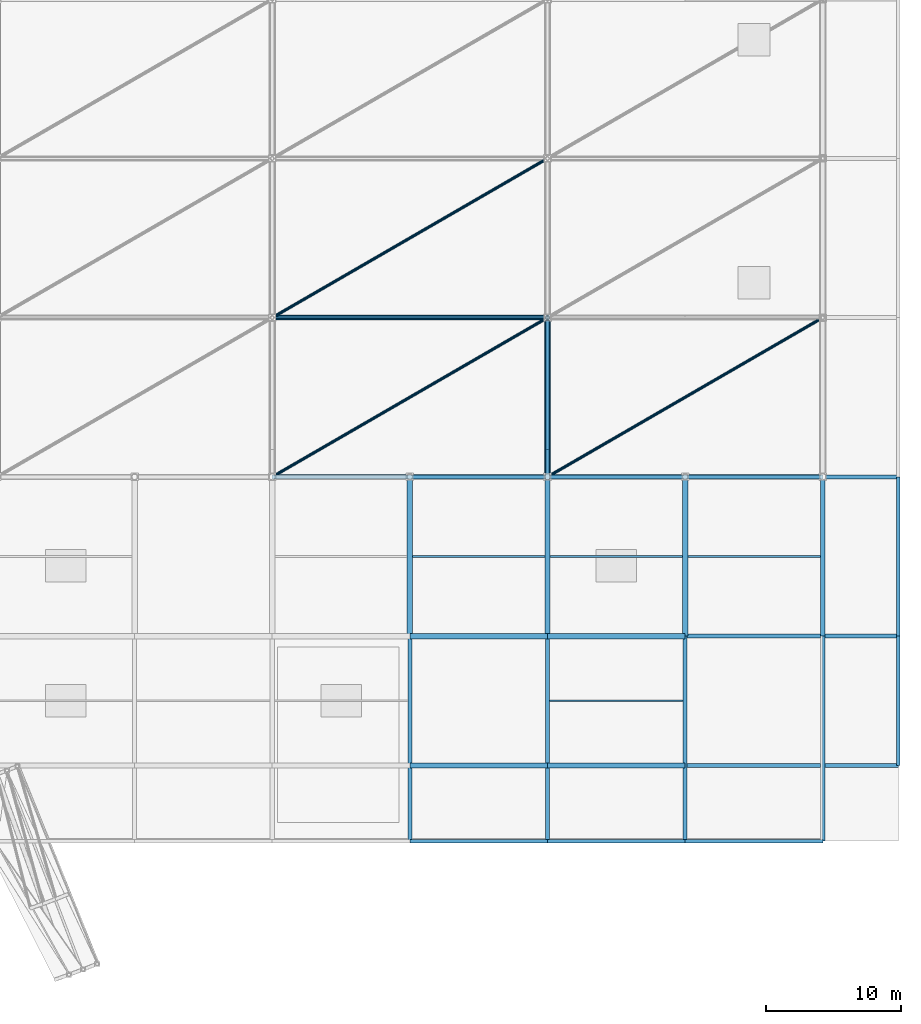
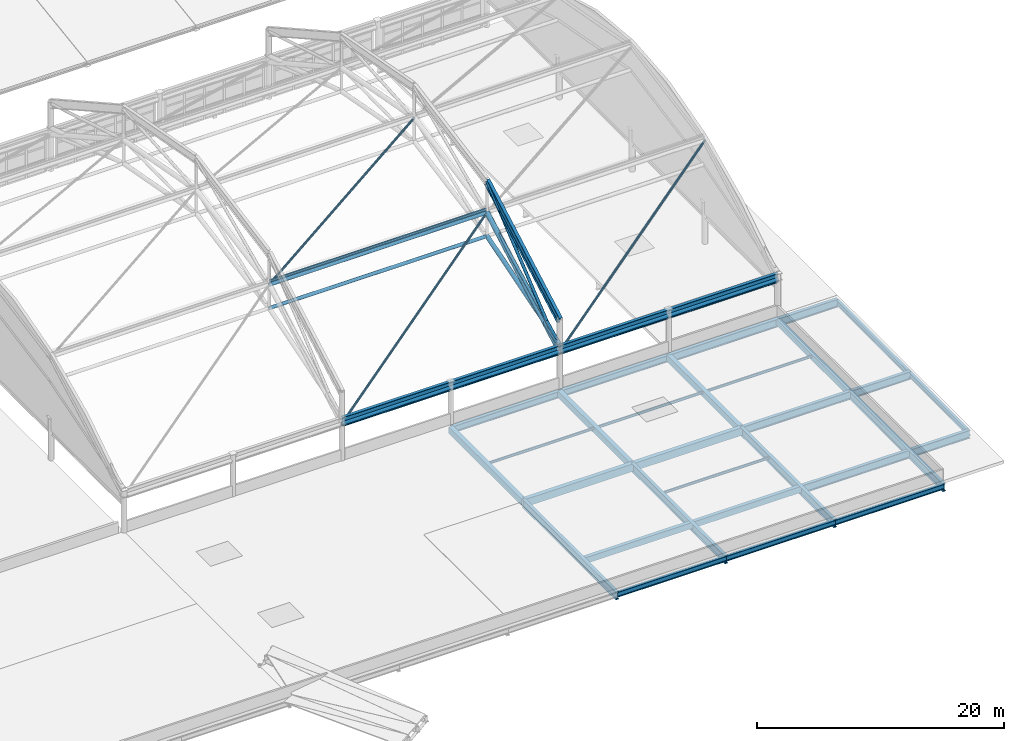
# One storey, part 56 of 135: 29 beams, 12 members.
"""IFC4 building model written with IfcOpenShell, lengths in metres."""

from ifc_helpers import new_model, si_unit, direction, frame, origin, origin_2d, place, context, subcontext, project, spatial, rectangle, hollow_circle, i_section, extrude, material, material_profile, profile_set, type_object, element, save


model = new_model("IFC4")

# Units and contexts
model_context = context("Model", 3, precision=1e-05, world=origin(), true_north=direction((0.0, 1.0)))
body_context = subcontext(model_context, "Body", "Model", "MODEL_VIEW")
ifc_project = project(units=[si_unit("LENGTHUNIT", "METRE"), si_unit("AREAUNIT", "SQUARE_METRE"), si_unit("VOLUMEUNIT", "CUBIC_METRE"), si_unit("PLANEANGLEUNIT", "RADIAN"), si_unit("MASSUNIT", "GRAM", prefix="KILO")], contexts=[model_context])

# Site, building, storey
site_placement = place(None, origin())
site = spatial("IfcSite", under=ifc_project, at=site_placement, CompositionType="ELEMENT")
building_placement = place(site_placement, origin())
building = spatial("IfcBuilding", under=site, at=building_placement, Name="Brelvane Convention Centre", CompositionType="ELEMENT")
storey_placement = place(building_placement, frame((0.0, 0.0, 15.0)))
storey = spatial("IfcBuildingStorey", under=building, at=storey_placement, Name="L03", CompositionType="ELEMENT", Elevation=15.0)

# Beams
ifc_material_1 = material(Name="Concrete M40", Category="concrete")
ifc_material_profile_1 = material_profile(ifc_material_1, rectangle(XDim=0.39990234375, YDim=0.75, at=origin_2d()), Name="RC 400x750")
ifc_profile_set_1 = profile_set([ifc_material_profile_1], Name="Concrete M40")
beam_type_1 = type_object("IfcBeamType", Name="RC Beam B-RC6 (RC 400x750)", PredefinedType="BEAM", material=ifc_profile_set_1)
for number, where, z_axis, x_axis, name in (
    (1, (193.800048828125, 28.800048828125, -0.675048828125), (1.0, 0.0, 0.0), (0.0, 1.0, 0.0), "L03 Beam 20-21/D"),
    (2, (204.0, 28.800048828125, -0.675048828125), (1.0, 0.0, 0.0), (0.0, 1.0, 0.0), "L03 Beam 21-22/D"),
):
    element("IfcBeam", number, at=place(storey_placement, frame(where, z_axis=z_axis, x_axis=x_axis)), inside=storey, type_object=beam_type_1, Name=name, PredefinedType="BEAM", context=body_context, shape_type="SweptSolid", body=[
        extrude(rectangle(XDim=0.39990234375, YDim=0.75, at=origin_2d()), origin(), (0.0, 0.0, 1.0), 10.199951171875),
    ])
ifc_material_2 = material(Name="Concrete M40", Category="concrete")
ifc_material_profile_2 = material_profile(ifc_material_2, rectangle(XDim=0.39990234375, YDim=0.64990234375, at=origin_2d()), Name="RC 400x650")
ifc_profile_set_2 = profile_set([ifc_material_profile_2], Name="Concrete M40")
beam_type_2 = type_object("IfcBeamType", Name="RC Beam B-RC7 (RC 400x650)", PredefinedType="BEAM", material=ifc_profile_set_2)
for number, where, z_axis, x_axis, name in (
    (3, (193.800048828125, 28.800048828125, -0.625), (0.0, 1.0, 0.0), (-1.0, 0.0, 0.0), "L03 Girder 20/D-E"),
    (4, (204.0, 28.800048828125, -0.625), (0.0, 1.0, 0.0), (-1.0, 0.0, 0.0), "L03 Girder 21/D-E"),
    (5, (214.199951171875, 28.800048828125, -0.625), (0.0, 1.0, 0.0), (-1.0, 0.0, 0.0), "L03 Girder 22/D-E"),
):
    element("IfcBeam", number, at=place(storey_placement, frame(where, z_axis=z_axis, x_axis=x_axis)), inside=storey, type_object=beam_type_2, Name=name, PredefinedType="BEAM", context=body_context, shape_type="SweptSolid", body=[
        extrude(rectangle(XDim=0.39990234375, YDim=0.64990234375, at=origin_2d()), origin(), (0.0, 0.0, 1.0), 11.800048828125),
    ])
ifc_material_3 = material(Name="Concrete M40", Category="concrete")
ifc_material_profile_3 = material_profile(ifc_material_3, rectangle(XDim=0.35009765625, YDim=0.60009765625, at=origin_2d()), Name="RC 350x600")
ifc_profile_set_3 = profile_set([ifc_material_profile_3], Name="Concrete M40")
beam_type_3 = type_object("IfcBeamType", Name="RC Spandrel SP-RC2 (RC 350x600)", PredefinedType="SPANDREL", material=ifc_profile_set_3)
for number, where, z_axis, x_axis, name in (
    (6, (193.800048828125, 19.199951171875, -0.60009765625), (1.0, 0.0, 0.0), (0.0, 1.0, 0.0), "L03 Beam 20-21/C"),
    (7, (204.0, 19.199951171875, -0.60009765625), (1.0, 0.0, 0.0), (0.0, 1.0, 0.0), "L03 Beam 21-22/C"),
):
    element("IfcBeam", number, at=place(storey_placement, frame(where, z_axis=z_axis, x_axis=x_axis)), inside=storey, type_object=beam_type_3, Name=name, PredefinedType="SPANDREL", context=body_context, shape_type="SweptSolid", body=[
        extrude(rectangle(XDim=0.35009765625, YDim=0.60009765625, at=origin_2d()), origin(), (0.0, 0.0, 1.0), 10.199951171875),
    ])
beam_1_placement = place(storey_placement, frame((224.39990234375, 28.800048828125, -0.60009765625), z_axis=(0.0, 1.0, 0.0), x_axis=(-1.0, 0.0, 0.0)))
element("IfcBeam", 8, at=beam_1_placement, inside=storey, type_object=beam_type_3, Name="L03 Girder 23/D-E", PredefinedType="SPANDREL", context=body_context, shape_type="SweptSolid", body=[
    extrude(rectangle(XDim=0.35009765625, YDim=0.60009765625, at=origin_2d()), origin(), (0.0, 0.0, 1.0), 11.800048828125),
])
ifc_material_4 = material(Name="Steel E450 (450 MPa)", Category="steel")
ifc_material_profile_4 = material_profile(ifc_material_4, i_section(OverallWidth=0.300048828125, OverallDepth=0.89990234375, WebThickness=0.0166015625, FlangeThickness=0.031982421875, FilletRadius=0.027099609375, at=origin_2d()), Name="NPB 900x300")
ifc_profile_set_4 = profile_set([ifc_material_profile_4], Name="Steel E450 (450 MPa)")
beam_type_4 = type_object("IfcBeamType", Name="Steel Beam B-ST1 (NPB 900x300)", PredefinedType="BEAM", material=ifc_profile_set_4)
for number, where, z_axis, x_axis, name in (
    (9, (183.60009765625, 40.60009765625, 3.75), (1.0, 0.0, 0.0), (0.0, 1.0, 0.0), "SF_PLEN Eaves Ring Girder S-2"),
    (10, (204.0, 40.60009765625, 3.75), (1.0, 0.0, 0.0), (0.0, 1.0, 0.0), "SF_PLEN Eaves Ring Girder S-3"),
):
    element("IfcBeam", number, at=place(storey_placement, frame(where, z_axis=z_axis, x_axis=x_axis)), inside=storey, type_object=beam_type_4, Name=name, PredefinedType="BEAM", context=body_context, shape_type="SweptSolid", body=[
        extrude(i_section(OverallWidth=0.300048828125, OverallDepth=0.89990234375, WebThickness=0.0166015625, FlangeThickness=0.031982421875, FilletRadius=0.027099609375, at=origin_2d()), origin(), (0.0, 0.0, 1.0), 20.39990234375),
    ])
ifc_material_5 = material(Name="Steel E450 (450 MPa)", Category="steel")
ifc_material_profile_5 = material_profile(ifc_material_5, i_section(OverallWidth=0.300048828125, OverallDepth=0.800048828125, WebThickness=0.015380859375, FlangeThickness=0.030029296875, FilletRadius=0.027099609375, at=origin_2d()), Name="NPB 800x300")
ifc_profile_set_5 = profile_set([ifc_material_profile_5], Name="Steel E450 (450 MPa)")
beam_type_5 = type_object("IfcBeamType", Name="Steel Beam B-ST2 (NPB 800x300)", PredefinedType="BEAM", material=ifc_profile_set_5)
for number, where, z_axis, x_axis, name in (
    (11, (193.800048828125, 13.60009765625, -0.699951171875), (0.0, 1.0, 0.0), (-1.0, 0.0, 0.0), "L03 Hull Cantilever Girder 20"),
    (12, (204.0, 13.60009765625, -0.699951171875), (0.0, 1.0, 0.0), (-1.0, 0.0, 0.0), "L03 Hull Cantilever Girder 21"),
    (13, (214.199951171875, 13.60009765625, -0.699951171875), (0.0, 1.0, 0.0), (-1.0, 0.0, 0.0), "L03 Hull Cantilever Girder 22"),
    (14, (224.39990234375, 13.60009765625, -0.699951171875), (0.0, 1.0, 0.0), (-1.0, 0.0, 0.0), "L03 Hull Cantilever Girder 23"),
):
    element("IfcBeam", number, at=place(storey_placement, frame(where, z_axis=z_axis, x_axis=x_axis)), inside=storey, type_object=beam_type_5, Name=name, PredefinedType="BEAM", context=body_context, shape_type="SweptSolid", body=[
        extrude(i_section(OverallWidth=0.300048828125, OverallDepth=0.800048828125, WebThickness=0.015380859375, FlangeThickness=0.030029296875, FilletRadius=0.027099609375, at=origin_2d()), origin(), (0.0, 0.0, 1.0), 15.199951171875),
    ])
for number, where, z_axis, x_axis, name in (
    (15, (214.199951171875, 19.199951171875, -0.699951171875), (1.0, 0.0, 0.0), (0.0, 1.0, 0.0), "L03 Plenary East Cantilever Girder Y19"),
    (16, (214.199951171875, 28.800048828125, -0.699951171875), (1.0, 0.0, 0.0), (0.0, 1.0, 0.0), "L03 Plenary East Cantilever Girder Y28"),
    (17, (214.199951171875, 40.60009765625, -0.699951171875), (1.0, 0.0, 0.0), (0.0, 1.0, 0.0), "L03 Plenary East Cantilever Girder Y40"),
):
    element("IfcBeam", number, at=place(storey_placement, frame(where, z_axis=z_axis, x_axis=x_axis)), inside=storey, type_object=beam_type_5, Name=name, PredefinedType="BEAM", context=body_context, shape_type="SweptSolid", body=[
        extrude(i_section(OverallWidth=0.300048828125, OverallDepth=0.800048828125, WebThickness=0.015380859375, FlangeThickness=0.030029296875, FilletRadius=0.027099609375, at=origin_2d()), origin(), (0.0, 0.0, 1.0), 15.800048828125),
    ])
beam_2_placement = place(storey_placement, frame((204.0, 40.60009765625, 6.60009765625), z_axis=(0.0, 0.872759320666, 0.488150763791), x_axis=(-1.0, 0.0, 0.0)))
element("IfcBeam", 18, at=beam_2_placement, inside=storey, type_object=beam_type_5, Name="EXO_PLEN Exoskeletal Arch Girder 3.1", PredefinedType="BEAM", context=body_context, shape_type="SweptSolid", body=[
    extrude(i_section(OverallWidth=0.300048828125, OverallDepth=0.800048828125, WebThickness=0.015380859375, FlangeThickness=0.030029296875, FilletRadius=0.027099609375, at=origin_2d()), origin(), (0.0, 0.0, 1.0), 13.52001953125),
])
ifc_material_6 = material(Name="Steel E350 (350 MPa)", Category="steel")
ifc_material_profile_6 = material_profile(ifc_material_6, i_section(OverallWidth=0.300048828125, OverallDepth=0.64990234375, WebThickness=0.014404296875, FlangeThickness=0.02587890625, FilletRadius=0.02392578125, at=origin_2d()), Name="NPB 650x300")
ifc_profile_set_6 = profile_set([ifc_material_profile_6], Name="Steel E350 (350 MPa)")
beam_type_6 = type_object("IfcBeamType", Name="Steel Beam B-ST4 (NPB 650x300)", PredefinedType="BEAM", material=ifc_profile_set_6)
for number, where, z_axis, x_axis, name in (
    (19, (193.800048828125, 40.60009765625, -0.625), (1.0, 0.0, 0.0), (0.0, 1.0, 0.0), "L03 Beam 20-21/E"),
    (20, (204.0, 40.60009765625, -0.625), (1.0, 0.0, 0.0), (0.0, 1.0, 0.0), "L03 Beam 21-22/E"),
):
    element("IfcBeam", number, at=place(storey_placement, frame(where, z_axis=z_axis, x_axis=x_axis)), inside=storey, type_object=beam_type_6, Name=name, PredefinedType="BEAM", context=body_context, shape_type="SweptSolid", body=[
        extrude(i_section(OverallWidth=0.300048828125, OverallDepth=0.64990234375, WebThickness=0.014404296875, FlangeThickness=0.02587890625, FilletRadius=0.02392578125, at=origin_2d()), origin(), (0.0, 0.0, 1.0), 10.199951171875),
    ])

# Members
ifc_material_7 = material(Name="Steel E350 (350 MPa)", Category="steel")
ifc_material_profile_7 = material_profile(ifc_material_7, hollow_circle(Radius=0.136474609375, WallThickness=0.012451171875, at=origin_2d()), Name="CHS 273.0x12.5")
ifc_profile_set_7 = profile_set([ifc_material_profile_7], Name="Steel E350 (350 MPa)")
member_type_1 = type_object("IfcMemberType", Name="Steel Brace SF-DG1 (CHS 273.0x12.5)", PredefinedType="BRACE", material=ifc_profile_set_7)
member_1_placement = place(storey_placement, frame((204.0, 40.60009765625, 4.199951171875), z_axis=(0.0, 0.893211567364, 0.449636626541), x_axis=(-1.0, 0.0, 0.0)))
element("IfcMember", 21, at=member_1_placement, inside=storey, type_object=member_type_1, Name="SF_PLEN Space-Frame Web Diagonal D3.1", PredefinedType="BRACE", context=body_context, shape_type="SweptSolid", body=[
    extrude(hollow_circle(Radius=0.136474609375, WallThickness=0.012451171875, at=origin_2d()), origin(), (0.0, 0.0, 1.0), 13.21044921875),
])
member_2_placement = place(storey_placement, frame((204.0, 40.60009765625, 3.5400390625), z_axis=(0.0, 0.773779656464, 0.633454847043), x_axis=(-1.0, 0.0, 0.0)))
element("IfcMember", 22, at=member_2_placement, inside=storey, type_object=member_type_1, Name="EXO_PLEN Exoskeletal Arch Web 3.1", PredefinedType="BRACE", context=body_context, shape_type="SweptSolid", body=[
    extrude(hollow_circle(Radius=0.136474609375, WallThickness=0.012451171875, at=origin_2d()), origin(), (0.0, 0.0, 1.0), 15.24951171875),
])
ifc_material_8 = material(Name="Steel E350 (350 MPa)", Category="steel")
ifc_material_profile_8 = material_profile(ifc_material_8, hollow_circle(Radius=0.109619140625, WallThickness=0.010009765625, at=origin_2d()), Name="CHS 219.1x10.0")
ifc_profile_set_8 = profile_set([ifc_material_profile_8], Name="Steel E350 (350 MPa)")
member_type_2 = type_object("IfcMemberType", Name="Steel Brace SF-DG2 (CHS 219.1x10.0)", PredefinedType="BRACE", material=ifc_profile_set_8)
member_3_placement = place(storey_placement, frame((183.60009765625, 40.60009765625, 3.5400390625), z_axis=(0.8335525702, 0.482147284795, 0.269674078248), x_axis=(-0.500697290317, 0.865622448571, 0.0)))
element("IfcMember", 23, at=member_3_placement, inside=storey, type_object=member_type_2, Name="SF_PLEN Roof Diaphragm Brace PB2.1", PredefinedType="BRACE", context=body_context, shape_type="SweptSolid", body=[
    extrude(hollow_circle(Radius=0.109619140625, WallThickness=0.010009765625, at=origin_2d()), origin(), (0.0, 0.0, 1.0), 24.473388671875),
])
member_4_placement = place(storey_placement, frame((183.60009765625, 52.39990234375, 10.139892578125), z_axis=(0.861870064084, 0.498537133576, 0.092955468268), x_axis=(-0.500705052683, 0.865617958581, 0.0)))
element("IfcMember", 24, at=member_4_placement, inside=storey, type_object=member_type_2, Name="SF_PLEN Roof Diaphragm Brace PB2.2", PredefinedType="BRACE", context=body_context, shape_type="SweptSolid", body=[
    extrude(hollow_circle(Radius=0.109619140625, WallThickness=0.010009765625, at=origin_2d()), origin(), (0.0, 0.0, 1.0), 23.66943359375),
])
member_5_placement = place(storey_placement, frame((204.0, 40.60009765625, 3.5400390625), z_axis=(0.8335525702, 0.482147284795, 0.269674078248), x_axis=(-0.500697290317, 0.865622448571, 0.0)))
element("IfcMember", 25, at=member_5_placement, inside=storey, type_object=member_type_2, Name="SF_PLEN Roof Diaphragm Brace PB3.1", PredefinedType="BRACE", context=body_context, shape_type="SweptSolid", body=[
    extrude(hollow_circle(Radius=0.109619140625, WallThickness=0.010009765625, at=origin_2d()), origin(), (0.0, 0.0, 1.0), 24.473388671875),
])
ifc_material_9 = material(Name="Steel E450 (450 MPa)", Category="steel")
ifc_material_profile_9 = material_profile(ifc_material_9, hollow_circle(Radius=0.203125, WallThickness=0.01611328125, at=origin_2d()), Name="CHS 406.4x16.0")
ifc_profile_set_9 = profile_set([ifc_material_profile_9], Name="Steel E450 (450 MPa)")
member_type_3 = type_object("IfcMemberType", Name="Steel Chord SF-BC1 (CHS 406.4x16.0)", PredefinedType="CHORD", material=ifc_profile_set_9)
member_6_placement = place(storey_placement, frame((204.0, 40.60009765625, 4.199951171875), z_axis=(0.0, 0.956473772599, 0.291818303624), x_axis=(-1.0, 0.0, 0.0)))
element("IfcMember", 26, at=member_6_placement, inside=storey, type_object=member_type_3, Name="SF_PLEN Space-Frame Bottom Chord B3.1", PredefinedType="CHORD", context=body_context, shape_type="SweptSolid", body=[
    extrude(hollow_circle(Radius=0.203125, WallThickness=0.01611328125, at=origin_2d()), origin(), (0.0, 0.0, 1.0), 12.336669921875),
])
ifc_material_10 = material(Name="Steel E350 (350 MPa)", Category="steel")
ifc_material_profile_10 = material_profile(ifc_material_10, hollow_circle(Radius=0.161865234375, WallThickness=0.012451171875, at=origin_2d()), Name="CHS 323.9x12.5")
ifc_profile_set_10 = profile_set([ifc_material_profile_10], Name="Steel E350 (350 MPa)")
member_type_4 = type_object("IfcMemberType", Name="Steel Chord SF-BC2 (CHS 323.9x12.5)", PredefinedType="CHORD", material=ifc_profile_set_10)
member_7_placement = place(storey_placement, frame((183.60009765625, 52.39990234375, 7.800048828125), z_axis=(1.0, 0.0, 0.0), x_axis=(0.0, 1.0, 0.0)))
element("IfcMember", 27, at=member_7_placement, inside=storey, type_object=member_type_4, Name="SF_PLEN Longitudinal Bottom Chord LB2.2", PredefinedType="CHORD", context=body_context, shape_type="SweptSolid", body=[
    extrude(hollow_circle(Radius=0.161865234375, WallThickness=0.012451171875, at=origin_2d()), origin(), (0.0, 0.0, 1.0), 20.39990234375),
])
ifc_material_11 = material(Name="Steel E450 (450 MPa)", Category="steel")
ifc_material_profile_11 = material_profile(ifc_material_11, hollow_circle(Radius=0.228515625, WallThickness=0.02001953125, at=origin_2d()), Name="CHS 457.0x20.0")
ifc_profile_set_11 = profile_set([ifc_material_profile_11], Name="Steel E450 (450 MPa)")
member_type_5 = type_object("IfcMemberType", Name="Steel Chord SF-TC1 (CHS 457.0x20.0)", PredefinedType="CHORD", material=ifc_profile_set_11)
member_8_placement = place(storey_placement, frame((204.0, 40.60009765625, 3.5400390625), z_axis=(0.0, 0.872759320666, 0.488150763791), x_axis=(-1.0, 0.0, 0.0)))
element("IfcMember", 28, at=member_8_placement, inside=storey, type_object=member_type_5, Name="SF_PLEN Space-Frame Top Chord T3.1", PredefinedType="CHORD", context=body_context, shape_type="SweptSolid", body=[
    extrude(hollow_circle(Radius=0.228515625, WallThickness=0.02001953125, at=origin_2d()), origin(), (0.0, 0.0, 1.0), 13.52001953125),
])
ifc_material_12 = material(Name="Steel E450 (450 MPa)", Category="steel")
ifc_material_profile_12 = material_profile(ifc_material_12, hollow_circle(Radius=0.177734375, WallThickness=0.01611328125, at=origin_2d()), Name="CHS 355.6x16.0")
ifc_profile_set_12 = profile_set([ifc_material_profile_12], Name="Steel E450 (450 MPa)")
member_type_6 = type_object("IfcMemberType", Name="Steel Chord SF-TC2 (CHS 355.6x16.0)", PredefinedType="CHORD", material=ifc_profile_set_12)
for number, where, z_axis, x_axis, name in (
    (29, (183.60009765625, 40.60009765625, 3.5400390625), (1.0, 0.0, 0.0), (0.0, 1.0, 0.0), "SF_PLEN Longitudinal Top Chord LT2.1"),
    (30, (183.60009765625, 52.39990234375, 10.139892578125), (1.0, 0.0, 0.0), (0.0, 1.0, 0.0), "SF_PLEN Longitudinal Top Chord LT2.2"),
    (31, (204.0, 40.60009765625, 3.5400390625), (1.0, 0.0, 0.0), (0.0, 1.0, 0.0), "SF_PLEN Longitudinal Top Chord LT3.1"),
):
    element("IfcMember", number, at=place(storey_placement, frame(where, z_axis=z_axis, x_axis=x_axis)), inside=storey, type_object=member_type_6, Name=name, PredefinedType="CHORD", context=body_context, shape_type="SweptSolid", body=[
        extrude(hollow_circle(Radius=0.177734375, WallThickness=0.01611328125, at=origin_2d()), origin(), (0.0, 0.0, 1.0), 20.39990234375),
    ])

# Beams
ifc_material_13 = material(Name="Steel E350 (350 MPa)", Category="steel")
ifc_material_profile_13 = material_profile(ifc_material_13, i_section(OverallWidth=0.125, OverallDepth=0.25, WebThickness=0.0068359375, FlangeThickness=0.012451171875, FilletRadius=0.012939453125, at=origin_2d()), Name="ISMB 250")
ifc_profile_set_13 = profile_set([ifc_material_profile_13], Name="Steel E350 (350 MPa)")
beam_type_7 = type_object("IfcBeamType", Name="Steel Joist J-ST4 (ISMB 250)", PredefinedType="JOIST", material=ifc_profile_set_13)
beam_3_placement = place(storey_placement, frame((194.0, 34.699951171875, -0.425048828125), z_axis=(1.0, 0.0, 0.0), x_axis=(0.0, 1.0, 0.0)))
element("IfcBeam", 32, at=beam_3_placement, inside=storey, type_object=beam_type_7, Name="L03 Secondary Joist 20-21/DE", PredefinedType="JOIST", context=body_context, shape_type="SweptSolid", body=[
    extrude(i_section(OverallWidth=0.125, OverallDepth=0.25, WebThickness=0.0068359375, FlangeThickness=0.012451171875, FilletRadius=0.012939453125, at=origin_2d()), origin(), (0.0, 0.0, 1.0), 9.800048828125),
])
beam_4_placement = place(storey_placement, frame((204.14990234375, 24.0, -0.425048828125), z_axis=(1.0, 0.0, 0.0), x_axis=(0.0, 1.0, 0.0)))
element("IfcBeam", 33, at=beam_4_placement, inside=storey, type_object=beam_type_7, Name="L03 Secondary Joist 21-22/CD", PredefinedType="JOIST", context=body_context, shape_type="SweptSolid", body=[
    extrude(i_section(OverallWidth=0.125, OverallDepth=0.25, WebThickness=0.0068359375, FlangeThickness=0.012451171875, FilletRadius=0.012939453125, at=origin_2d()), origin(), (0.0, 0.0, 1.0), 9.900146484375),
])
beam_5_placement = place(storey_placement, frame((204.199951171875, 34.699951171875, -0.425048828125), z_axis=(1.0, 0.0, 0.0), x_axis=(0.0, 1.0, 0.0)))
element("IfcBeam", 34, at=beam_5_placement, inside=storey, type_object=beam_type_7, Name="L03 Secondary Joist 21-22/DE", PredefinedType="JOIST", context=body_context, shape_type="SweptSolid", body=[
    extrude(i_section(OverallWidth=0.125, OverallDepth=0.25, WebThickness=0.0068359375, FlangeThickness=0.012451171875, FilletRadius=0.012939453125, at=origin_2d()), origin(), (0.0, 0.0, 1.0), 9.800048828125),
])
beam_6_placement = place(storey_placement, frame((214.39990234375, 34.699951171875, -0.425048828125), z_axis=(1.0, 0.0, 0.0), x_axis=(0.0, 1.0, 0.0)))
element("IfcBeam", 35, at=beam_6_placement, inside=storey, type_object=beam_type_7, Name="L03 Secondary Joist 22-23/DE", PredefinedType="JOIST", context=body_context, shape_type="SweptSolid", body=[
    extrude(i_section(OverallWidth=0.125, OverallDepth=0.25, WebThickness=0.0068359375, FlangeThickness=0.012451171875, FilletRadius=0.012939453125, at=origin_2d()), origin(), (0.0, 0.0, 1.0), 9.8251953125),
])

# Member
ifc_material_14 = material(Name="Steel E350 (350 MPa)", Category="steel")
ifc_material_profile_14 = material_profile(ifc_material_14, i_section(OverallWidth=0.125, OverallDepth=0.25, WebThickness=0.0068359375, FlangeThickness=0.012451171875, FilletRadius=0.012939453125, at=origin_2d()), Name="ISMB 250")
ifc_profile_set_14 = profile_set([ifc_material_profile_14], Name="Steel E350 (350 MPa)")
member_type_7 = type_object("IfcMemberType", Name="Steel Purlin PR-ST1 (ISMB 250)", PredefinedType="PURLIN", material=ifc_profile_set_14)
member_9_placement = place(storey_placement, frame((183.60009765625, 52.39990234375, 10.47509765625), z_axis=(1.0, 0.0, 0.0), x_axis=(0.0, 1.0, 0.0)))
element("IfcMember", 36, at=member_9_placement, inside=storey, type_object=member_type_7, Name="SF_PLEN Roof Purlin P2.2", PredefinedType="PURLIN", context=body_context, shape_type="SweptSolid", body=[
    extrude(i_section(OverallWidth=0.125, OverallDepth=0.25, WebThickness=0.0068359375, FlangeThickness=0.012451171875, FilletRadius=0.012939453125, at=origin_2d()), origin(), (0.0, 0.0, 1.0), 20.39990234375),
])

# Beams
ifc_material_15 = material(Name="Steel E350 (350 MPa)", Category="steel")
ifc_material_profile_15 = material_profile(ifc_material_15, i_section(OverallWidth=0.25, OverallDepth=0.5, WebThickness=0.010009765625, FlangeThickness=0.0146484375, FilletRadius=0.01611328125, at=origin_2d()), Name="ISWB 500")
ifc_profile_set_15 = profile_set([ifc_material_profile_15], Name="Steel E350 (350 MPa)")
beam_type_8 = type_object("IfcBeamType", Name="Steel Spandrel SP-ST1 (ISWB 500)", PredefinedType="SPANDREL", material=ifc_profile_set_15)
for number, where, z_axis, x_axis, name in (
    (37, (193.800048828125, 13.60009765625, -0.550048828125), (1.0, 0.0, 0.0), (0.0, 1.0, 0.0), "L03 Hull Overhang Edge Spandrel 20"),
    (38, (204.0, 13.60009765625, -0.550048828125), (1.0, 0.0, 0.0), (0.0, 1.0, 0.0), "L03 Hull Overhang Edge Spandrel 21"),
    (39, (214.199951171875, 13.60009765625, -0.550048828125), (1.0, 0.0, 0.0), (0.0, 1.0, 0.0), "L03 Hull Overhang Edge Spandrel 22"),
):
    element("IfcBeam", number, at=place(storey_placement, frame(where, z_axis=z_axis, x_axis=x_axis)), inside=storey, type_object=beam_type_8, Name=name, PredefinedType="SPANDREL", context=body_context, shape_type="SweptSolid", body=[
        extrude(i_section(OverallWidth=0.25, OverallDepth=0.5, WebThickness=0.010009765625, FlangeThickness=0.0146484375, FilletRadius=0.01611328125, at=origin_2d()), origin(), (0.0, 0.0, 1.0), 10.199951171875),
    ])
beam_7_placement = place(storey_placement, frame((230.0, 19.199951171875, -0.699951171875), z_axis=(0.0, 1.0, 0.0), x_axis=(-1.0, 0.0, 0.0)))
element("IfcBeam", 40, at=beam_7_placement, inside=storey, type_object=beam_type_8, Name="L03 Plenary Overhang Tip Spandrel 1", PredefinedType="SPANDREL", context=body_context, shape_type="SweptSolid", body=[
    extrude(i_section(OverallWidth=0.25, OverallDepth=0.5, WebThickness=0.010009765625, FlangeThickness=0.0146484375, FilletRadius=0.01611328125, at=origin_2d()), origin(), (0.0, 0.0, 1.0), 9.60009765625),
])
beam_8_placement = place(storey_placement, frame((230.0, 28.800048828125, -0.699951171875), z_axis=(0.0, 1.0, 0.0), x_axis=(-1.0, 0.0, 0.0)))
element("IfcBeam", 41, at=beam_8_placement, inside=storey, type_object=beam_type_8, Name="L03 Plenary Overhang Tip Spandrel 2", PredefinedType="SPANDREL", context=body_context, shape_type="SweptSolid", body=[
    extrude(i_section(OverallWidth=0.25, OverallDepth=0.5, WebThickness=0.010009765625, FlangeThickness=0.0146484375, FilletRadius=0.01611328125, at=origin_2d()), origin(), (0.0, 0.0, 1.0), 11.800048828125),
])

save(model, "model.ifc")
